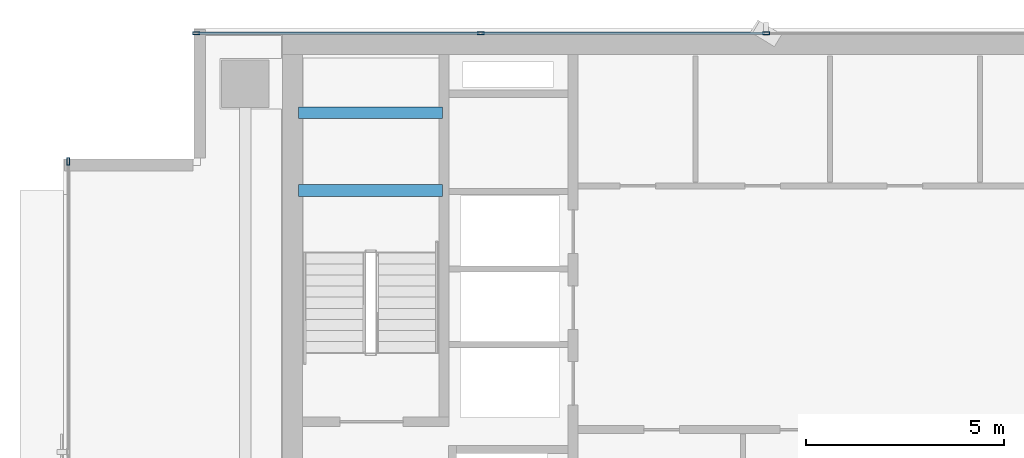
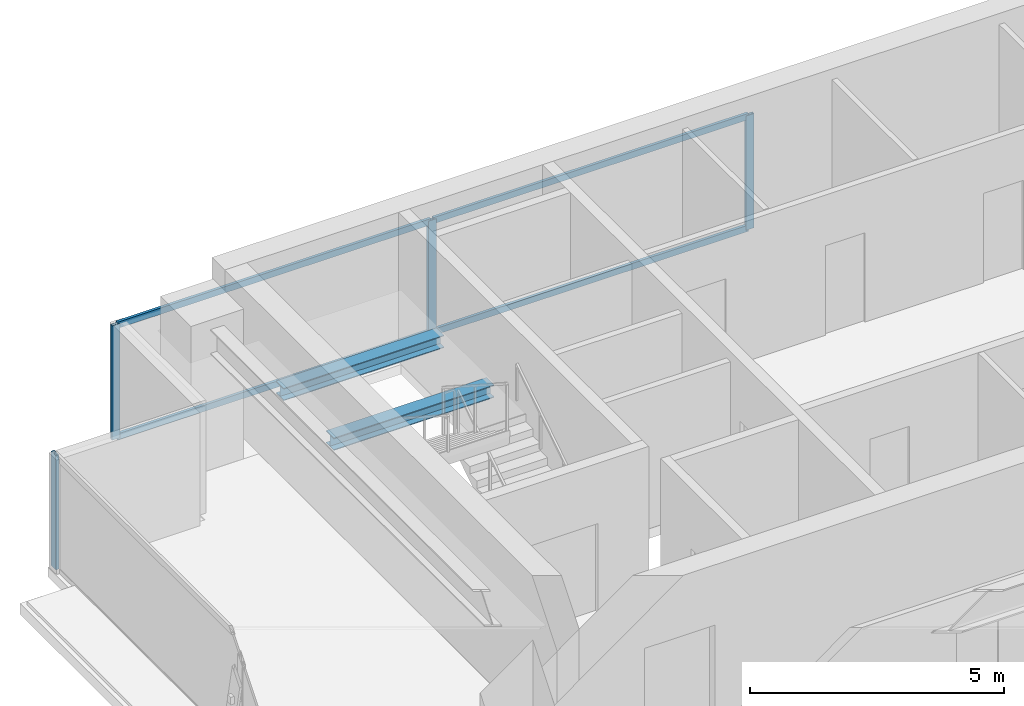
# One storey, part 12 of 22: 8 members, 2 beams, 2 elements without a shape of their own.
"""IFC4 building model written with IfcOpenShell, lengths in metres."""

from ifc_helpers import new_model, si_unit, direction, frame, origin, origin_2d, place, context, subcontext, project, spatial, hollow_rectangle, i_section, extrude, source, transform, mapped, material, layer, layer_set, material_profile, profile_set, type_object, element, aggregate, save


model = new_model("IFC4")

# Units and contexts
model_context = context("Model", 3, precision=1e-05, world=origin(), true_north=direction((0.0, 1.0)))
body_context = subcontext(model_context, "Body", "Model", "MODEL_VIEW")
ifc_project = project(units=[si_unit("LENGTHUNIT", "METRE"), si_unit("AREAUNIT", "SQUARE_METRE"), si_unit("VOLUMEUNIT", "CUBIC_METRE"), si_unit("PLANEANGLEUNIT", "RADIAN"), si_unit("MASSUNIT", "GRAM", prefix="KILO")], contexts=[model_context])

# Site, building, storey
site_placement = place(None, origin())
site = spatial("IfcSite", under=ifc_project, at=site_placement, CompositionType="ELEMENT")
building_placement = place(site_placement, origin())
building = spatial("IfcBuilding", under=site, at=building_placement, Name="Sumidabori Civic Tower", CompositionType="ELEMENT")
storey_placement = place(building_placement, frame((0.0, 0.0, 272.0)))
storey = spatial("IfcBuildingStorey", under=building, at=storey_placement, Name="L71", CompositionType="ELEMENT", Elevation=272.0)

# Beams
ifc_material_1 = material(Name="Steel SN490", Category="steel")
ifc_material_profile_1 = material_profile(ifc_material_1, i_section(OverallWidth=0.300048828125, OverallDepth=0.300048828125, WebThickness=0.010986328125, FlangeThickness=0.01904296875, at=origin_2d()), Name="HE 300 B")
ifc_profile_set_1 = profile_set([ifc_material_profile_1], Name="Steel SN490")
beam_type = type_object("IfcBeamType", Name="BM-LDG-300", PredefinedType="BEAM", material=ifc_profile_set_1)
shared_shape_1 = source(origin(), body_context, "Body", "SweptSolid", [
    extrude(i_section(OverallWidth=0.300048828125, OverallDepth=0.300048828125, WebThickness=0.010986328125, FlangeThickness=0.01904296875, at=origin_2d()), origin(), (0.0, 0.0, 1.0), 3.64990234375),
])
for number, where, z_axis, x_axis, name in (
    (1, (-15.449951171875, 20.09765625, 1.449951171875), (1.0, 0.0, 0.0), (0.0, 1.0, 0.0), "Stair ST-1 Landing Support Beam L71-1A"),
    (2, (-15.449951171875, 22.069580078125, 1.449951171875), (1.0, 0.0, 0.0), (0.0, 1.0, 0.0), "Stair ST-1 Landing Trimmer Beam L71-1B"),
):
    element("IfcBeam", number, at=place(storey_placement, frame(where, z_axis=z_axis, x_axis=x_axis)), inside=storey, type_object=beam_type, Name=name, PredefinedType="BEAM", context=body_context, shape_type="MappedRepresentation", body=[
        mapped(shared_shape_1, transform((0.0, 0.0, 0.0), x_axis=(1.0, 0.0, 0.0), y_axis=(0.0, 1.0, 0.0), z_axis=(0.0, 0.0, 1.0), scale=1.0)),
    ])

# Curtain wall, members
ifc_material_2 = material(Name="Anodised Bronze Aluminium AW-6063-T6", Category="aluminium")
ifc_layer = layer(ifc_material_2, 0.179931640625, Name="Anodised Bronze Aluminium AW-6063-T6")
ifc_layer_set = layer_set([ifc_layer], Name="Anodised Bronze Aluminium AW-6063-T6")
curtain_wall_type = type_object("IfcCurtainWallType", Name="CW-SYS-6", PredefinedType="NOTDEFINED", material=ifc_layer_set)
curtain_wall_1_placement = place(storey_placement, origin())
curtain_wall_1 = element("IfcCurtainWall", 3, at=curtain_wall_1_placement, inside=storey, type_object=curtain_wall_type, Name="Curtain Wall CW:L71:R07", PredefinedType="NOTDEFINED")
ifc_material_profile_2 = material_profile(ifc_material_2, hollow_rectangle(XDim=0.070068359375, YDim=0.179931640625, WallThickness=0.006103515625, at=origin_2d()), Name="ALU MULLION 180x70")
ifc_profile_set_2 = profile_set([ifc_material_profile_2], Name="Anodised Bronze Aluminium AW-6063-T6")
member_type_1 = type_object("IfcMemberType", Name="CW-MUL-180", PredefinedType="MULLION", material=ifc_profile_set_2)
shared_shape_2 = source(origin(), body_context, "Body", "SweptSolid", [
    extrude(hollow_rectangle(XDim=0.070068359375, YDim=0.179931640625, WallThickness=0.006103515625, at=origin_2d()), origin(), (0.0, 0.0, 1.0), 2.75),
])
member_1_placement = place(storey_placement, frame((-3.614013671875, 24.080078125, 0.0), z_axis=(0.0, 0.0, 1.0), x_axis=(0.0, -1.0, 0.0)))
member_1 = element("IfcMember", 4, at=member_1_placement, type_object=member_type_1, Name="CW-6 mullion 4", PredefinedType="MULLION", context=body_context, shape_type="MappedRepresentation", body=[
    mapped(shared_shape_2, transform((0.0, 0.0, 0.0), x_axis=(1.0, 0.0, 0.0), y_axis=(0.0, 1.0, 0.0), z_axis=(0.0, 0.0, 1.0), scale=1.0)),
])
member_2_placement = place(storey_placement, frame((-10.842041015625, 24.080078125, 0.0), z_axis=(0.0, 0.0, 1.0), x_axis=(0.0, -1.0, 0.0)))
member_2 = element("IfcMember", 5, at=member_2_placement, type_object=member_type_1, Name="CW-6 mullion 5", PredefinedType="MULLION", context=body_context, shape_type="MappedRepresentation", body=[
    mapped(shared_shape_2, transform((0.0, 0.0, 0.0), x_axis=(1.0, 0.0, 0.0), y_axis=(0.0, 1.0, 0.0), z_axis=(0.0, 0.0, 1.0), scale=1.0)),
])
member_3_placement = place(storey_placement, frame((-18.034912109375, 24.080078125, 0.0), z_axis=(0.0, 0.0, 1.0), x_axis=(0.0, -1.0, 0.0)))
member_3 = element("IfcMember", 6, at=member_3_placement, type_object=member_type_1, Name="CW-6 mullion 6", PredefinedType="MULLION", context=body_context, shape_type="MappedRepresentation", body=[
    mapped(shared_shape_2, transform((0.0, 0.0, 0.0), x_axis=(1.0, 0.0, 0.0), y_axis=(0.0, 1.0, 0.0), z_axis=(0.0, 0.0, 1.0), scale=1.0)),
])

# Curtain wall, member
curtain_wall_2_placement = place(storey_placement, origin())
curtain_wall_2 = element("IfcCurtainWall", 7, at=curtain_wall_2_placement, inside=storey, type_object=curtain_wall_type, Name="Curtain Wall CW:L71:R10", PredefinedType="NOTDEFINED")
member_4_placement = place(storey_placement, frame((-21.280029296875, 20.8349609375, 0.0), z_axis=(0.0, 0.0, 1.0), x_axis=(1.0, 0.0, 0.0)))
member_4 = element("IfcMember", 8, at=member_4_placement, type_object=member_type_1, Name="CW-6 mullion 1", PredefinedType="MULLION", context=body_context, shape_type="MappedRepresentation", body=[
    mapped(shared_shape_2, transform((0.0, 0.0, 0.0), x_axis=(1.0, 0.0, 0.0), y_axis=(0.0, 1.0, 0.0), z_axis=(0.0, 0.0, 1.0), scale=1.0)),
])
aggregate(curtain_wall_2, [member_4])

# Member
ifc_material_profile_3 = material_profile(ifc_material_2, hollow_rectangle(XDim=0.06494140625, YDim=0.14990234375, WallThickness=0.0048828125, at=origin_2d()), Name="ALU TRANSOM 150x65")
ifc_profile_set_3 = profile_set([ifc_material_profile_3], Name="Anodised Bronze Aluminium AW-6063-T6")
member_type_2 = type_object("IfcMemberType", Name="CW-TRN-150", PredefinedType="USERDEFINED", material=ifc_profile_set_3)
shared_shape_3 = source(origin(), body_context, "Body", "SweptSolid", [
    extrude(hollow_rectangle(XDim=0.06494140625, YDim=0.14990234375, WallThickness=0.0048828125, at=origin_2d()), origin(), (0.0, 0.0, 1.0), 7.123046875),
])
member_5_placement = place(storey_placement, frame((-10.876953125, 24.080078125, 0.032470703125), z_axis=(-1.0, 0.0, 0.0), x_axis=(0.0, -1.0, 0.0)))
member_5 = element("IfcMember", 9, at=member_5_placement, type_object=member_type_2, Name="CW-6 transom 5.1", ObjectType="TRANSOM", PredefinedType="USERDEFINED", context=body_context, shape_type="MappedRepresentation", body=[
    mapped(shared_shape_3, transform((0.0, 0.0, 0.0), x_axis=(1.0, 0.0, 0.0), y_axis=(0.0, 1.0, 0.0), z_axis=(0.0, 0.0, 1.0), scale=1.0)),
])

member_6_placement = place(storey_placement, frame((-10.876953125, 24.080078125, 2.717529296875), z_axis=(-1.0, 0.0, 0.0), x_axis=(0.0, -1.0, 0.0)))
member_6 = element("IfcMember", 10, at=member_6_placement, type_object=member_type_2, Name="CW-6 transom 5.2", ObjectType="TRANSOM", PredefinedType="USERDEFINED", context=body_context, shape_type="MappedRepresentation", body=[
    mapped(shared_shape_3, transform((0.0, 0.0, 0.0), x_axis=(1.0, 0.0, 0.0), y_axis=(0.0, 1.0, 0.0), z_axis=(0.0, 0.0, 1.0), scale=1.0)),
])

shared_shape_4 = source(origin(), body_context, "Body", "SweptSolid", [
    extrude(hollow_rectangle(XDim=0.06494140625, YDim=0.14990234375, WallThickness=0.0048828125, at=origin_2d()), origin(), (0.0, 0.0, 1.0), 7.157958984375),
])
member_7_placement = place(storey_placement, frame((-3.64892578125, 24.080078125, 0.032470703125), z_axis=(-1.0, 0.0, 0.0), x_axis=(0.0, -1.0, 0.0)))
member_7 = element("IfcMember", 11, at=member_7_placement, type_object=member_type_2, Name="CW-6 transom 4.1", ObjectType="TRANSOM", PredefinedType="USERDEFINED", context=body_context, shape_type="MappedRepresentation", body=[
    mapped(shared_shape_4, transform((0.0, 0.0, 0.0), x_axis=(1.0, 0.0, 0.0), y_axis=(0.0, 1.0, 0.0), z_axis=(0.0, 0.0, 1.0), scale=1.0)),
])

member_8_placement = place(storey_placement, frame((-3.64892578125, 24.080078125, 2.717529296875), z_axis=(-1.0, 0.0, 0.0), x_axis=(0.0, -1.0, 0.0)))
member_8 = element("IfcMember", 12, at=member_8_placement, type_object=member_type_2, Name="CW-6 transom 4.2", ObjectType="TRANSOM", PredefinedType="USERDEFINED", context=body_context, shape_type="MappedRepresentation", body=[
    mapped(shared_shape_4, transform((0.0, 0.0, 0.0), x_axis=(1.0, 0.0, 0.0), y_axis=(0.0, 1.0, 0.0), z_axis=(0.0, 0.0, 1.0), scale=1.0)),
])

aggregate(curtain_wall_1, [member_1, member_2, member_3, member_7, member_8, member_5, member_6])

save(model, "model.ifc")
